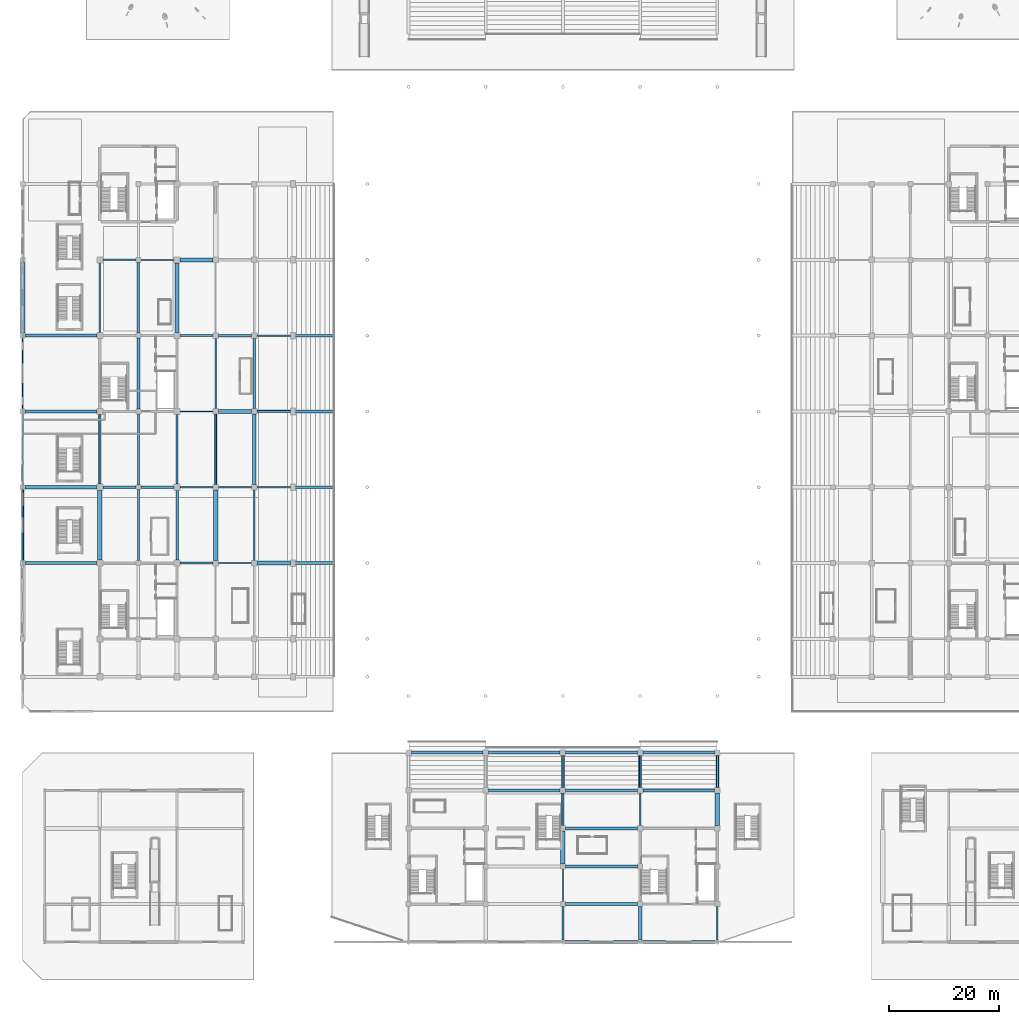
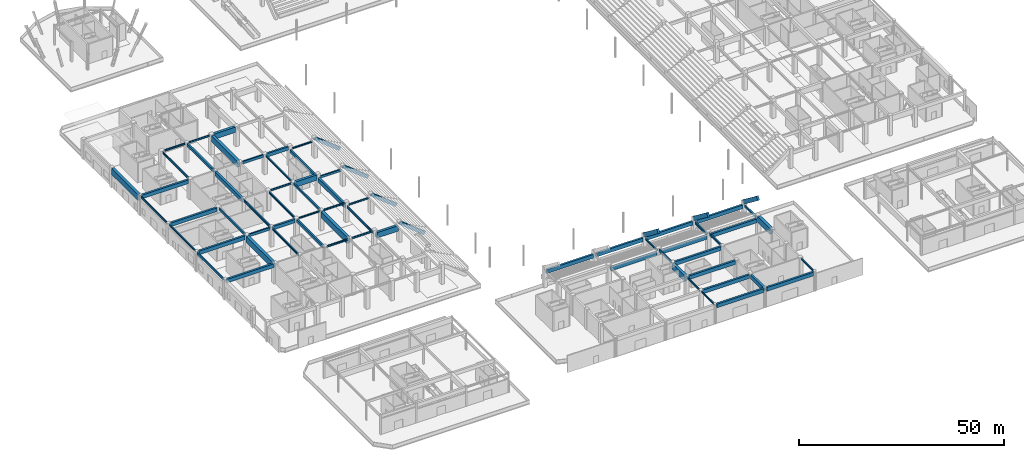
# One storey, part 23 of 73: 71 beams.
"""IFC4 building model written with IfcOpenShell, lengths in metres."""

from ifc_helpers import new_model, si_unit, direction, frame, origin, origin_2d, place, context, subcontext, project, spatial, rectangle, i_section, extrude, material, material_profile, profile_set, type_object, element, save


model = new_model("IFC4")

# Units and contexts
model_context = context("Model", 3, precision=1e-05, world=origin(), true_north=direction((0.0, 1.0)))
body_context = subcontext(model_context, "Body", "Model", "MODEL_VIEW")
ifc_project = project(units=[si_unit("LENGTHUNIT", "METRE"), si_unit("AREAUNIT", "SQUARE_METRE"), si_unit("VOLUMEUNIT", "CUBIC_METRE"), si_unit("PLANEANGLEUNIT", "RADIAN"), si_unit("MASSUNIT", "GRAM", prefix="KILO")], contexts=[model_context])

# Site, building, storey
site_placement = place(None, origin())
site = spatial("IfcSite", under=ifc_project, at=site_placement, CompositionType="ELEMENT")
building_placement = place(site_placement, origin())
building = spatial("IfcBuilding", under=site, at=building_placement, Name="Linyun Crest Stadium", CompositionType="ELEMENT")
storey_placement = place(building_placement, origin())
storey = spatial("IfcBuildingStorey", under=building, at=storey_placement, Name="L01", CompositionType="ELEMENT", Elevation=0.0)

# Beams
ifc_material_1 = material(Name="Concrete C40", Category="concrete")
ifc_material_profile_1 = material_profile(ifc_material_1, rectangle(XDim=0.35009765625, YDim=0.60009765625, at=origin_2d()), Name="RCB 600x350")
ifc_profile_set_1 = profile_set([ifc_material_profile_1], Name="Concrete C40")
beam_type_1 = type_object("IfcBeamType", Name="B01", PredefinedType="BEAM", material=ifc_profile_set_1)
beam_1_placement = place(storey_placement, frame((-55.5, 2.125, 4.6298828125), z_axis=(1.0, 0.0, 0.0), x_axis=(0.0, 1.0, 0.0)))
element("IfcBeam", 1, at=beam_1_placement, inside=storey, type_object=beam_type_1, Name="Frame beam B01 L01 118", PredefinedType="BEAM", context=body_context, shape_type="SweptSolid", body=[
    extrude(rectangle(XDim=0.35009765625, YDim=0.60009765625, at=origin_2d()), origin(), (0.0, 0.0, 1.0), 6.050048828125),
])
ifc_material_2 = material(Name="Concrete C40", Category="concrete")
ifc_material_profile_2 = material_profile(ifc_material_2, rectangle(XDim=0.35009765625, YDim=0.64990234375, at=origin_2d()), Name="RCB 650x350")
ifc_profile_set_2 = profile_set([ifc_material_profile_2], Name="Concrete C40")
beam_type_2 = type_object("IfcBeamType", Name="B02", PredefinedType="BEAM", material=ifc_profile_set_2)
beam_2_placement = place(storey_placement, frame((-98.0, -24.925048828125, 5.455078125), z_axis=(0.0, 1.0, 0.0), x_axis=(-1.0, 0.0, 0.0)))
element("IfcBeam", 2, at=beam_2_placement, inside=storey, type_object=beam_type_2, Name="Frame beam B02 L01 135", PredefinedType="BEAM", context=body_context, shape_type="SweptSolid", body=[
    extrude(rectangle(XDim=0.35009765625, YDim=0.64990234375, at=origin_2d()), origin(), (0.0, 0.0, 1.0), 12.85009765625),
])
beam_3_placement = place(storey_placement, frame((-84.0, -11.074951171875, 5.455078125), z_axis=(0.0, 1.0, 0.0), x_axis=(-1.0, 0.0, 0.0)))
element("IfcBeam", 3, at=beam_3_placement, inside=storey, type_object=beam_type_2, Name="Frame beam B02 L01 142", PredefinedType="BEAM", context=body_context, shape_type="SweptSolid", body=[
    extrude(rectangle(XDim=0.35009765625, YDim=0.64990234375, at=origin_2d()), origin(), (0.0, 0.0, 1.0), 12.64990234375),
])
beam_4_placement = place(storey_placement, frame((-63.0, -11.125, 5.455078125), z_axis=(0.0, 1.0, 0.0), x_axis=(-1.0, 0.0, 0.0)))
element("IfcBeam", 4, at=beam_4_placement, inside=storey, type_object=beam_type_2, Name="Frame beam B02 L01 158", PredefinedType="BEAM", context=body_context, shape_type="SweptSolid", body=[
    extrude(rectangle(XDim=0.35009765625, YDim=0.64990234375, at=origin_2d()), origin(), (0.0, 0.0, 1.0), 12.75),
])
for number, where, z_axis, x_axis, name in (
    (5, (0.0, -73.0, 5.455078125), (0.0, 1.0, 0.0), (-1.0, 0.0, 0.0), "Frame beam B02 L01 894"),
    (6, (28.0, -66.125, 4.60498046875), (0.0, 1.0, 0.0), (-1.0, 0.0, 0.0), "Frame beam B02 L01 901"),
):
    element("IfcBeam", number, at=place(storey_placement, frame(where, z_axis=z_axis, x_axis=x_axis)), inside=storey, type_object=beam_type_2, Name=name, PredefinedType="BEAM", context=body_context, shape_type="SweptSolid", body=[
        extrude(rectangle(XDim=0.35009765625, YDim=0.64990234375, at=origin_2d()), origin(), (0.0, 0.0, 1.0), 5.875),
    ])
ifc_material_3 = material(Name="Concrete C40", Category="concrete")
ifc_material_profile_3 = material_profile(ifc_material_3, rectangle(XDim=0.39990234375, YDim=0.75, at=origin_2d()), Name="RCB 750x400")
ifc_profile_set_3 = profile_set([ifc_material_profile_3], Name="Concrete C40")
beam_type_3 = type_object("IfcBeamType", Name="B03", PredefinedType="BEAM", material=ifc_profile_set_3)
beam_5_placement = place(storey_placement, frame((-83.449951171875, -11.625, 5.405029296875), z_axis=(1.0, 0.0, 0.0), x_axis=(0.0, 1.0, 0.0)))
element("IfcBeam", 7, at=beam_5_placement, inside=storey, type_object=beam_type_3, Name="Frame beam B03 L01 110", PredefinedType="BEAM", context=body_context, shape_type="SweptSolid", body=[
    extrude(rectangle(XDim=0.39990234375, YDim=0.75, at=origin_2d()), origin(), (0.0, 0.0, 1.0), 6.0),
])
beam_6_placement = place(storey_placement, frame((-69.449951171875, 15.875, 5.405029296875), z_axis=(1.0, 0.0, 0.0), x_axis=(0.0, 1.0, 0.0)))
element("IfcBeam", 8, at=beam_6_placement, inside=storey, type_object=beam_type_3, Name="Frame beam B03 L01 120", PredefinedType="BEAM", context=body_context, shape_type="SweptSolid", body=[
    extrude(rectangle(XDim=0.39990234375, YDim=0.75, at=origin_2d()), origin(), (0.0, 0.0, 1.0), 5.949951171875),
])
ifc_material_4 = material(Name="Concrete C40", Category="concrete")
ifc_material_profile_4 = material_profile(ifc_material_4, rectangle(XDim=0.449951171875, YDim=0.85009765625, at=origin_2d()), Name="RCB 850x450")
ifc_profile_set_4 = profile_set([ifc_material_profile_4], Name="Concrete C40")
beam_type_4 = type_object("IfcBeamType", Name="B04", PredefinedType="BEAM", material=ifc_profile_set_4)
beam_7_placement = place(storey_placement, frame((-77.0, 16.324951171875, 5.35498046875), z_axis=(0.0, 1.0, 0.0), x_axis=(-1.0, 0.0, 0.0)))
element("IfcBeam", 9, at=beam_7_placement, inside=storey, type_object=beam_type_4, Name="Frame beam B04 L01 149", PredefinedType="BEAM", context=body_context, shape_type="SweptSolid", body=[
    extrude(rectangle(XDim=0.449951171875, YDim=0.85009765625, at=origin_2d()), origin(), (0.0, 0.0, 1.0), 12.85009765625),
])
beam_8_placement = place(storey_placement, frame((-70.0, -24.824951171875, 5.35498046875), z_axis=(0.0, 1.0, 0.0), x_axis=(-1.0, 0.0, 0.0)))
element("IfcBeam", 10, at=beam_8_placement, inside=storey, type_object=beam_type_4, Name="Frame beam B04 L01 152", PredefinedType="BEAM", context=body_context, shape_type="SweptSolid", body=[
    extrude(rectangle(XDim=0.449951171875, YDim=0.85009765625, at=origin_2d()), origin(), (0.0, 0.0, 1.0), 12.64990234375),
])
beam_9_placement = place(storey_placement, frame((-56.0, 2.625, 4.5048828125), z_axis=(0.0, 1.0, 0.0), x_axis=(-1.0, 0.0, 0.0)))
element("IfcBeam", 11, at=beam_9_placement, inside=storey, type_object=beam_type_4, Name="Frame beam B04 L01 166", PredefinedType="BEAM", context=body_context, shape_type="SweptSolid", body=[
    extrude(rectangle(XDim=0.449951171875, YDim=0.85009765625, at=origin_2d()), origin(), (0.0, 0.0, 1.0), 12.75),
])
ifc_material_5 = material(Name="Concrete C40", Category="concrete")
ifc_material_profile_5 = material_profile(ifc_material_5, rectangle(XDim=0.5, YDim=1.0, at=origin_2d()), Name="RCB 1000x500")
ifc_profile_set_5 = profile_set([ifc_material_profile_5], Name="Concrete C40")
beam_type_5 = type_object("IfcBeamType", Name="B05", PredefinedType="BEAM", material=ifc_profile_set_5)
for number, where, z_axis, x_axis, name in (
    (12, (-76.550048828125, -11.625, 5.280029296875), (1.0, 0.0, 0.0), (0.0, 1.0, 0.0), "Frame beam B05 L01 111"),
    (13, (-62.5, 15.875, 5.280029296875), (1.0, 0.0, 0.0), (0.0, 1.0, 0.0), "Frame beam B05 L01 121"),
):
    element("IfcBeam", number, at=place(storey_placement, frame(where, z_axis=z_axis, x_axis=x_axis)), inside=storey, type_object=beam_type_5, Name=name, PredefinedType="BEAM", context=body_context, shape_type="SweptSolid", body=[
        extrude(rectangle(XDim=0.5, YDim=1.0, at=origin_2d()), origin(), (0.0, 0.0, 1.0), 6.0),
    ])
ifc_material_6 = material(Name="Steel Q355C", Category="steel")
ifc_material_profile_6 = material_profile(ifc_material_6, i_section(OverallWidth=0.300048828125, OverallDepth=0.389892578125, WebThickness=0.010009765625, FlangeThickness=0.01611328125, at=origin_2d()), Name="HM 390x300")
ifc_profile_set_6 = profile_set([ifc_material_profile_6], Name="Steel Q355C")
beam_type_6 = type_object("IfcBeamType", Name="B06", PredefinedType="BEAM", material=ifc_profile_set_6)
beam_10_placement = place(storey_placement, frame((-69.449951171875, -11.625, 5.5849609375), z_axis=(1.0, 0.0, 0.0), x_axis=(0.0, 1.0, 0.0)))
element("IfcBeam", 14, at=beam_10_placement, inside=storey, type_object=beam_type_6, Name="Frame beam B06 L01 112", PredefinedType="BEAM", context=body_context, shape_type="SweptSolid", body=[
    extrude(i_section(OverallWidth=0.300048828125, OverallDepth=0.389892578125, WebThickness=0.010009765625, FlangeThickness=0.01611328125, at=origin_2d()), origin(), (0.0, 0.0, 1.0), 5.949951171875),
])
beam_11_placement = place(storey_placement, frame((-55.5, 15.875, 4.735107421875), z_axis=(1.0, 0.0, 0.0), x_axis=(0.0, 1.0, 0.0)))
element("IfcBeam", 15, at=beam_11_placement, inside=storey, type_object=beam_type_6, Name="Frame beam B06 L01 122", PredefinedType="BEAM", context=body_context, shape_type="SweptSolid", body=[
    extrude(i_section(OverallWidth=0.300048828125, OverallDepth=0.389892578125, WebThickness=0.010009765625, FlangeThickness=0.01611328125, at=origin_2d()), origin(), (0.0, 0.0, 1.0), 6.050048828125),
])
ifc_material_7 = material(Name="Steel Q355C", Category="steel")
ifc_material_profile_7 = material_profile(ifc_material_7, i_section(OverallWidth=0.300048828125, OverallDepth=0.43994140625, WebThickness=0.010986328125, FlangeThickness=0.01806640625, at=origin_2d()), Name="HM 440x300")
ifc_profile_set_7 = profile_set([ifc_material_profile_7], Name="Steel Q355C")
beam_type_7 = type_object("IfcBeamType", Name="B07", PredefinedType="BEAM", material=ifc_profile_set_7)
beam_12_placement = place(storey_placement, frame((-98.0, -11.175048828125, 5.56005859375), z_axis=(0.0, 1.0, 0.0), x_axis=(-1.0, 0.0, 0.0)))
element("IfcBeam", 16, at=beam_12_placement, inside=storey, type_object=beam_type_7, Name="Frame beam B07 L01 136", PredefinedType="BEAM", context=body_context, shape_type="SweptSolid", body=[
    extrude(i_section(OverallWidth=0.300048828125, OverallDepth=0.43994140625, WebThickness=0.010986328125, FlangeThickness=0.01806640625, at=origin_2d()), origin(), (0.0, 0.0, 1.0), 12.85009765625),
])
beam_13_placement = place(storey_placement, frame((-63.0, 2.625, 5.56005859375), z_axis=(0.0, 1.0, 0.0), x_axis=(-1.0, 0.0, 0.0)))
element("IfcBeam", 17, at=beam_13_placement, inside=storey, type_object=beam_type_7, Name="Frame beam B07 L01 159", PredefinedType="BEAM", context=body_context, shape_type="SweptSolid", body=[
    extrude(i_section(OverallWidth=0.300048828125, OverallDepth=0.43994140625, WebThickness=0.010986328125, FlangeThickness=0.01806640625, at=origin_2d()), origin(), (0.0, 0.0, 1.0), 12.75),
])
beam_14_placement = place(storey_placement, frame((0.0, -93.72509765625, 5.56005859375), z_axis=(0.0, 1.0, 0.0), x_axis=(-1.0, 0.0, 0.0)))
element("IfcBeam", 18, at=beam_14_placement, inside=storey, type_object=beam_type_7, Name="Frame beam B07 L01 891", PredefinedType="BEAM", context=body_context, shape_type="SweptSolid", body=[
    extrude(i_section(OverallWidth=0.300048828125, OverallDepth=0.43994140625, WebThickness=0.010986328125, FlangeThickness=0.01806640625, at=origin_2d()), origin(), (0.0, 0.0, 1.0), 6.025146484375),
])
beam_15_placement = place(storey_placement, frame((0.0, -66.125, 4.7099609375), z_axis=(0.0, 1.0, 0.0), x_axis=(-1.0, 0.0, 0.0)))
element("IfcBeam", 19, at=beam_15_placement, inside=storey, type_object=beam_type_7, Name="Frame beam B07 L01 895", PredefinedType="BEAM", context=body_context, shape_type="SweptSolid", body=[
    extrude(i_section(OverallWidth=0.300048828125, OverallDepth=0.43994140625, WebThickness=0.010986328125, FlangeThickness=0.01806640625, at=origin_2d()), origin(), (0.0, 0.0, 1.0), 5.875),
])
beam_16_placement = place(storey_placement, frame((28.0, -93.72509765625, 5.56005859375), z_axis=(0.0, 1.0, 0.0), x_axis=(-1.0, 0.0, 0.0)))
element("IfcBeam", 20, at=beam_16_placement, inside=storey, type_object=beam_type_7, Name="Frame beam B07 L01 899", PredefinedType="BEAM", context=body_context, shape_type="SweptSolid", body=[
    extrude(i_section(OverallWidth=0.300048828125, OverallDepth=0.43994140625, WebThickness=0.010986328125, FlangeThickness=0.01806640625, at=origin_2d()), origin(), (0.0, 0.0, 1.0), 6.025146484375),
])
ifc_material_8 = material(Name="Steel Q355C", Category="steel")
ifc_material_profile_8 = material_profile(ifc_material_8, i_section(OverallWidth=0.300048828125, OverallDepth=0.488037109375, WebThickness=0.010986328125, FlangeThickness=0.01806640625, at=origin_2d()), Name="HM 488x300")
ifc_profile_set_8 = profile_set([ifc_material_profile_8], Name="Steel Q355C")
beam_type_8 = type_object("IfcBeamType", Name="B08", PredefinedType="BEAM", material=ifc_profile_set_8)
beam_17_placement = place(storey_placement, frame((-69.449951171875, -25.375, 5.535888671875), z_axis=(1.0, 0.0, 0.0), x_axis=(0.0, 1.0, 0.0)))
element("IfcBeam", 21, at=beam_17_placement, inside=storey, type_object=beam_type_8, Name="Frame beam B08 L01 106", PredefinedType="BEAM", context=body_context, shape_type="SweptSolid", body=[
    extrude(i_section(OverallWidth=0.300048828125, OverallDepth=0.488037109375, WebThickness=0.010986328125, FlangeThickness=0.01806640625, at=origin_2d()), origin(), (0.0, 0.0, 1.0), 5.949951171875),
])
for number, where, z_axis, x_axis, name in (
    (22, (-62.5, -11.625, 5.535888671875), (1.0, 0.0, 0.0), (0.0, 1.0, 0.0), "Frame beam B08 L01 113"),
    (23, (-83.449951171875, 29.625, 5.535888671875), (1.0, 0.0, 0.0), (0.0, 1.0, 0.0), "Frame beam B08 L01 123"),
):
    element("IfcBeam", number, at=place(storey_placement, frame(where, z_axis=z_axis, x_axis=x_axis)), inside=storey, type_object=beam_type_8, Name=name, PredefinedType="BEAM", context=body_context, shape_type="SweptSolid", body=[
        extrude(i_section(OverallWidth=0.300048828125, OverallDepth=0.488037109375, WebThickness=0.010986328125, FlangeThickness=0.01806640625, at=origin_2d()), origin(), (0.0, 0.0, 1.0), 6.0),
    ])
ifc_material_9 = material(Name="Steel Q355C", Category="steel")
ifc_material_profile_9 = material_profile(ifc_material_9, i_section(OverallWidth=0.300048828125, OverallDepth=0.587890625, WebThickness=0.011962890625, FlangeThickness=0.02001953125, at=origin_2d()), Name="HM 588x300")
ifc_profile_set_9 = profile_set([ifc_material_profile_9], Name="Steel Q355C")
beam_type_9 = type_object("IfcBeamType", Name="B09", PredefinedType="BEAM", material=ifc_profile_set_9)
beam_18_placement = place(storey_placement, frame((-84.0, 16.425048828125, 5.486083984375), z_axis=(0.0, 1.0, 0.0), x_axis=(-1.0, 0.0, 0.0)))
element("IfcBeam", 24, at=beam_18_placement, inside=storey, type_object=beam_type_9, Name="Frame beam B09 L01 143", PredefinedType="BEAM", context=body_context, shape_type="SweptSolid", body=[
    extrude(i_section(OverallWidth=0.300048828125, OverallDepth=0.587890625, WebThickness=0.011962890625, FlangeThickness=0.02001953125, at=origin_2d()), origin(), (0.0, 0.0, 1.0), 12.64990234375),
])
beam_19_placement = place(storey_placement, frame((-77.0, -24.925048828125, 5.486083984375), z_axis=(0.0, 1.0, 0.0), x_axis=(-1.0, 0.0, 0.0)))
element("IfcBeam", 25, at=beam_19_placement, inside=storey, type_object=beam_type_9, Name="Frame beam B09 L01 146", PredefinedType="BEAM", context=body_context, shape_type="SweptSolid", body=[
    extrude(i_section(OverallWidth=0.300048828125, OverallDepth=0.587890625, WebThickness=0.011962890625, FlangeThickness=0.02001953125, at=origin_2d()), origin(), (0.0, 0.0, 1.0), 12.85009765625),
])
beam_20_placement = place(storey_placement, frame((-70.0, -11.074951171875, 5.486083984375), z_axis=(0.0, 1.0, 0.0), x_axis=(-1.0, 0.0, 0.0)))
element("IfcBeam", 26, at=beam_20_placement, inside=storey, type_object=beam_type_9, Name="Frame beam B09 L01 153", PredefinedType="BEAM", context=body_context, shape_type="SweptSolid", body=[
    extrude(i_section(OverallWidth=0.300048828125, OverallDepth=0.587890625, WebThickness=0.011962890625, FlangeThickness=0.02001953125, at=origin_2d()), origin(), (0.0, 0.0, 1.0), 12.64990234375),
])
beam_21_placement = place(storey_placement, frame((14.0, -73.0, 5.486083984375), z_axis=(0.0, 1.0, 0.0), x_axis=(-1.0, 0.0, 0.0)))
element("IfcBeam", 27, at=beam_21_placement, inside=storey, type_object=beam_type_9, Name="Frame beam B09 L01 897", PredefinedType="BEAM", context=body_context, shape_type="SweptSolid", body=[
    extrude(i_section(OverallWidth=0.300048828125, OverallDepth=0.587890625, WebThickness=0.011962890625, FlangeThickness=0.02001953125, at=origin_2d()), origin(), (0.0, 0.0, 1.0), 5.875),
])
ifc_material_10 = material(Name="Steel Q355C", Category="steel")
ifc_material_profile_10 = material_profile(ifc_material_10, i_section(OverallWidth=0.199951171875, OverallDepth=0.5, WebThickness=0.010009765625, FlangeThickness=0.01611328125, at=origin_2d()), Name="HN 500x200")
ifc_profile_set_10 = profile_set([ifc_material_profile_10], Name="Steel Q355C")
beam_type_10 = type_object("IfcBeamType", Name="B10", PredefinedType="BEAM", material=ifc_profile_set_10)
beam_22_placement = place(storey_placement, frame((-62.5, -25.375, 5.530029296875), z_axis=(1.0, 0.0, 0.0), x_axis=(0.0, 1.0, 0.0)))
element("IfcBeam", 28, at=beam_22_placement, inside=storey, type_object=beam_type_10, Name="Frame beam B10 L01 107", PredefinedType="BEAM", context=body_context, shape_type="SweptSolid", body=[
    extrude(i_section(OverallWidth=0.199951171875, OverallDepth=0.5, WebThickness=0.010009765625, FlangeThickness=0.01611328125, at=origin_2d()), origin(), (0.0, 0.0, 1.0), 6.0),
])
beam_23_placement = place(storey_placement, frame((-55.5, -11.625, 4.679931640625), z_axis=(1.0, 0.0, 0.0), x_axis=(0.0, 1.0, 0.0)))
element("IfcBeam", 29, at=beam_23_placement, inside=storey, type_object=beam_type_10, Name="Frame beam B10 L01 114", PredefinedType="BEAM", context=body_context, shape_type="SweptSolid", body=[
    extrude(i_section(OverallWidth=0.199951171875, OverallDepth=0.5, WebThickness=0.010009765625, FlangeThickness=0.01611328125, at=origin_2d()), origin(), (0.0, 0.0, 1.0), 6.050048828125),
])
beam_24_placement = place(storey_placement, frame((-69.449951171875, 2.125, 5.530029296875), z_axis=(1.0, 0.0, 0.0), x_axis=(0.0, 1.0, 0.0)))
element("IfcBeam", 30, at=beam_24_placement, inside=storey, type_object=beam_type_10, Name="Frame beam B10 L01 116", PredefinedType="BEAM", context=body_context, shape_type="SweptSolid", body=[
    extrude(i_section(OverallWidth=0.199951171875, OverallDepth=0.5, WebThickness=0.010009765625, FlangeThickness=0.01611328125, at=origin_2d()), origin(), (0.0, 0.0, 1.0), 5.949951171875),
])
beam_25_placement = place(storey_placement, frame((-76.550048828125, 29.625, 5.530029296875), z_axis=(1.0, 0.0, 0.0), x_axis=(0.0, 1.0, 0.0)))
element("IfcBeam", 31, at=beam_25_placement, inside=storey, type_object=beam_type_10, Name="Frame beam B10 L01 124", PredefinedType="BEAM", context=body_context, shape_type="SweptSolid", body=[
    extrude(i_section(OverallWidth=0.199951171875, OverallDepth=0.5, WebThickness=0.010009765625, FlangeThickness=0.01611328125, at=origin_2d()), origin(), (0.0, 0.0, 1.0), 6.0),
])
ifc_material_11 = material(Name="Steel Q355C", Category="steel")
ifc_material_profile_11 = material_profile(ifc_material_11, i_section(OverallWidth=0.199951171875, OverallDepth=0.60009765625, WebThickness=0.010986328125, FlangeThickness=0.01708984375, at=origin_2d()), Name="HN 600x200")
ifc_profile_set_11 = profile_set([ifc_material_profile_11], Name="Steel Q355C")
beam_type_11 = type_object("IfcBeamType", Name="B11", PredefinedType="BEAM", material=ifc_profile_set_11)
beam_26_placement = place(storey_placement, frame((-98.0, 2.574951171875, 5.47998046875), z_axis=(0.0, 1.0, 0.0), x_axis=(-1.0, 0.0, 0.0)))
element("IfcBeam", 32, at=beam_26_placement, inside=storey, type_object=beam_type_11, Name="Frame beam B11 L01 137", PredefinedType="BEAM", context=body_context, shape_type="SweptSolid", body=[
    extrude(i_section(OverallWidth=0.199951171875, OverallDepth=0.60009765625, WebThickness=0.010986328125, FlangeThickness=0.01708984375, at=origin_2d()), origin(), (0.0, 0.0, 1.0), 12.85009765625),
])
beam_27_placement = place(storey_placement, frame((0.0, -86.800048828125, 5.47998046875), z_axis=(0.0, 1.0, 0.0), x_axis=(-1.0, 0.0, 0.0)))
element("IfcBeam", 33, at=beam_27_placement, inside=storey, type_object=beam_type_11, Name="Frame beam B11 L01 892", PredefinedType="BEAM", context=body_context, shape_type="SweptSolid", body=[
    extrude(i_section(OverallWidth=0.199951171875, OverallDepth=0.60009765625, WebThickness=0.010986328125, FlangeThickness=0.01708984375, at=origin_2d()), origin(), (0.0, 0.0, 1.0), 5.97509765625),
])
ifc_material_12 = material(Name="Steel Q355C", Category="steel")
ifc_material_profile_12 = material_profile(ifc_material_12, i_section(OverallWidth=0.300048828125, OverallDepth=0.699951171875, WebThickness=0.012939453125, FlangeThickness=0.02392578125, at=origin_2d()), Name="HN 700x300")
ifc_profile_set_12 = profile_set([ifc_material_profile_12], Name="Steel Q355C")
beam_type_12 = type_object("IfcBeamType", Name="B12", PredefinedType="BEAM", material=ifc_profile_set_12)
beam_28_placement = place(storey_placement, frame((-77.0, -11.175048828125, 5.429931640625), z_axis=(0.0, 1.0, 0.0), x_axis=(-1.0, 0.0, 0.0)))
element("IfcBeam", 34, at=beam_28_placement, inside=storey, type_object=beam_type_12, Name="Frame beam B12 L01 147", PredefinedType="BEAM", context=body_context, shape_type="SweptSolid", body=[
    extrude(i_section(OverallWidth=0.300048828125, OverallDepth=0.699951171875, WebThickness=0.012939453125, FlangeThickness=0.02392578125, at=origin_2d()), origin(), (0.0, 0.0, 1.0), 12.85009765625),
])
beam_29_placement = place(storey_placement, frame((-56.0, -24.875, 4.580078125), z_axis=(0.0, 1.0, 0.0), x_axis=(-1.0, 0.0, 0.0)))
element("IfcBeam", 35, at=beam_29_placement, inside=storey, type_object=beam_type_12, Name="Frame beam B12 L01 164", PredefinedType="BEAM", context=body_context, shape_type="SweptSolid", body=[
    extrude(i_section(OverallWidth=0.300048828125, OverallDepth=0.699951171875, WebThickness=0.012939453125, FlangeThickness=0.02392578125, at=origin_2d()), origin(), (0.0, 0.0, 1.0), 12.75),
])
beam_30_placement = place(storey_placement, frame((14.0, -66.125, 4.580078125), z_axis=(0.0, 1.0, 0.0), x_axis=(-1.0, 0.0, 0.0)))
element("IfcBeam", 36, at=beam_30_placement, inside=storey, type_object=beam_type_12, Name="Frame beam B12 L01 898", PredefinedType="BEAM", context=body_context, shape_type="SweptSolid", body=[
    extrude(i_section(OverallWidth=0.300048828125, OverallDepth=0.699951171875, WebThickness=0.012939453125, FlangeThickness=0.02392578125, at=origin_2d()), origin(), (0.0, 0.0, 1.0), 5.875),
])
ifc_material_13 = material(Name="Concrete C50", Category="concrete")
ifc_material_profile_13 = material_profile(ifc_material_13, rectangle(XDim=0.699951171875, YDim=1.60009765625, at=origin_2d()), Name="RCB 1600x700")
ifc_profile_set_13 = profile_set([ifc_material_profile_13], Name="Concrete C50")
beam_type_13 = type_object("IfcBeamType", Name="B13", PredefinedType="BEAM", material=ifc_profile_set_13)
beam_31_placement = place(storey_placement, frame((-55.5, -25.375, 4.1298828125), z_axis=(1.0, 0.0, 0.0), x_axis=(0.0, 1.0, 0.0)))
element("IfcBeam", 37, at=beam_31_placement, inside=storey, type_object=beam_type_13, Name="Frame beam B13 L01 108", PredefinedType="BEAM", context=body_context, shape_type="SweptSolid", body=[
    extrude(rectangle(XDim=0.699951171875, YDim=1.60009765625, at=origin_2d()), origin(), (0.0, 0.0, 1.0), 6.050048828125),
])
beam_32_placement = place(storey_placement, frame((-62.5, 2.125, 4.97998046875), z_axis=(1.0, 0.0, 0.0), x_axis=(0.0, 1.0, 0.0)))
element("IfcBeam", 38, at=beam_32_placement, inside=storey, type_object=beam_type_13, Name="Frame beam B13 L01 117", PredefinedType="BEAM", context=body_context, shape_type="SweptSolid", body=[
    extrude(rectangle(XDim=0.699951171875, YDim=1.60009765625, at=origin_2d()), origin(), (0.0, 0.0, 1.0), 6.0),
])
beam_33_placement = place(storey_placement, frame((-69.449951171875, 29.625, 4.97998046875), z_axis=(1.0, 0.0, 0.0), x_axis=(0.0, 1.0, 0.0)))
element("IfcBeam", 39, at=beam_33_placement, inside=storey, type_object=beam_type_13, Name="Frame beam B13 L01 125", PredefinedType="BEAM", context=body_context, shape_type="SweptSolid", body=[
    extrude(rectangle(XDim=0.699951171875, YDim=1.60009765625, at=origin_2d()), origin(), (0.0, 0.0, 1.0), 5.949951171875),
])
ifc_material_14 = material(Name="Concrete C50", Category="concrete")
ifc_material_profile_14 = material_profile(ifc_material_14, rectangle(XDim=0.800048828125, YDim=1.800048828125, at=origin_2d()), Name="RCB 1800x800")
ifc_profile_set_14 = profile_set([ifc_material_profile_14], Name="Concrete C50")
beam_type_14 = type_object("IfcBeamType", Name="B14", PredefinedType="BEAM", material=ifc_profile_set_14)
beam_34_placement = place(storey_placement, frame((-98.0, 16.324951171875, 4.8798828125), z_axis=(0.0, 1.0, 0.0), x_axis=(-1.0, 0.0, 0.0)))
element("IfcBeam", 40, at=beam_34_placement, inside=storey, type_object=beam_type_14, Name="Frame beam B14 L01 138", PredefinedType="BEAM", context=body_context, shape_type="SweptSolid", body=[
    extrude(rectangle(XDim=0.800048828125, YDim=1.800048828125, at=origin_2d()), origin(), (0.0, 0.0, 1.0), 12.85009765625),
])
for number, where, z_axis, x_axis, name in (
    (41, (-84.0, -24.824951171875, 4.8798828125), (0.0, 1.0, 0.0), (-1.0, 0.0, 0.0), "Frame beam B14 L01 141"),
    (42, (-70.0, 16.425048828125, 4.8798828125), (0.0, 1.0, 0.0), (-1.0, 0.0, 0.0), "Frame beam B14 L01 154"),
):
    element("IfcBeam", number, at=place(storey_placement, frame(where, z_axis=z_axis, x_axis=x_axis)), inside=storey, type_object=beam_type_14, Name=name, PredefinedType="BEAM", context=body_context, shape_type="SweptSolid", body=[
        extrude(rectangle(XDim=0.800048828125, YDim=1.800048828125, at=origin_2d()), origin(), (0.0, 0.0, 1.0), 12.64990234375),
    ])
beam_35_placement = place(storey_placement, frame((-63.0, -24.875, 4.8798828125), z_axis=(0.0, 1.0, 0.0), x_axis=(-1.0, 0.0, 0.0)))
element("IfcBeam", 43, at=beam_35_placement, inside=storey, type_object=beam_type_14, Name="Frame beam B14 L01 157", PredefinedType="BEAM", context=body_context, shape_type="SweptSolid", body=[
    extrude(rectangle(XDim=0.800048828125, YDim=1.800048828125, at=origin_2d()), origin(), (0.0, 0.0, 1.0), 12.75),
])
beam_36_placement = place(storey_placement, frame((0.0, -79.925048828125, 4.8798828125), z_axis=(0.0, 1.0, 0.0), x_axis=(-1.0, 0.0, 0.0)))
element("IfcBeam", 44, at=beam_36_placement, inside=storey, type_object=beam_type_14, Name="Frame beam B14 L01 893", PredefinedType="BEAM", context=body_context, shape_type="SweptSolid", body=[
    extrude(rectangle(XDim=0.800048828125, YDim=1.800048828125, at=origin_2d()), origin(), (0.0, 0.0, 1.0), 5.925048828125),
])
beam_37_placement = place(storey_placement, frame((28.0, -73.0, 4.8798828125), z_axis=(0.0, 1.0, 0.0), x_axis=(-1.0, 0.0, 0.0)))
element("IfcBeam", 45, at=beam_37_placement, inside=storey, type_object=beam_type_14, Name="Frame beam B14 L01 900", PredefinedType="BEAM", context=body_context, shape_type="SweptSolid", body=[
    extrude(rectangle(XDim=0.800048828125, YDim=1.800048828125, at=origin_2d()), origin(), (0.0, 0.0, 1.0), 5.875),
])
ifc_material_15 = material(Name="Precast concrete C50", Category="concrete")
ifc_material_profile_15 = material_profile(ifc_material_15, rectangle(XDim=0.5, YDim=0.949951171875, at=origin_2d()), Name="PCR 950x500")
ifc_profile_set_15 = profile_set([ifc_material_profile_15], Name="Precast concrete C50")
beam_type_15 = type_object("IfcBeamType", Name="RB01", PredefinedType="USERDEFINED", material=ifc_profile_set_15)
for number, where, z_axis, x_axis, name in (
    (46, (-42.0, -25.375, 0.0), (-0.785226144733, 0.0, 0.619209093625), (0.0, -1.0, 0.0), "Precast raker beam RB01 V1 17"),
    (47, (-42.0, -11.625, 0.0), (-0.785226144733, 0.0, 0.619209093625), (0.0, -1.0, 0.0), "Precast raker beam RB01 V1 25"),
    (48, (-42.0, 2.125, 0.0), (-0.785226144733, 0.0, 0.619209093625), (0.0, -1.0, 0.0), "Precast raker beam RB01 V1 33"),
    (49, (-42.0, 15.875, 0.0), (-0.785226144733, 0.0, 0.619209093625), (0.0, -1.0, 0.0), "Precast raker beam RB01 V1 41"),
):
    element("IfcBeam", number, at=place(storey_placement, frame(where, z_axis=z_axis, x_axis=x_axis)), inside=storey, type_object=beam_type_15, Name=name, ObjectType="RAKER", PredefinedType="USERDEFINED", context=body_context, shape_type="SweptSolid", body=[
        extrude(rectangle(XDim=0.5, YDim=0.949951171875, at=origin_2d()), origin(), (0.0, 0.0, 1.0), 8.91455078125),
    ])
ifc_material_16 = material(Name="Precast concrete C50", Category="concrete")
ifc_material_profile_16 = material_profile(ifc_material_16, rectangle(XDim=0.550048828125, YDim=1.14990234375, at=origin_2d()), Name="PCR 1150x550")
ifc_profile_set_16 = profile_set([ifc_material_profile_16], Name="Precast concrete C50")
beam_type_16 = type_object("IfcBeamType", Name="RB02", PredefinedType="USERDEFINED", material=ifc_profile_set_16)
for number, where, z_axis, x_axis, name in (
    (50, (0.0, -59.75, 5.52001953125), (0.0, -0.793093848902, 0.609099455618), (1.0, 0.0, 0.0), "Precast raker beam RB02 V4 81"),
    (51, (14.0, -59.75, 5.52001953125), (0.0, -0.793093848902, 0.609099455618), (1.0, 0.0, 0.0), "Precast raker beam RB02 V4 87"),
    (52, (28.0, -59.75, 5.52001953125), (0.0, -0.793093848902, 0.609099455618), (1.0, 0.0, 0.0), "Precast raker beam RB02 V4 93"),
):
    element("IfcBeam", number, at=place(storey_placement, frame(where, z_axis=z_axis, x_axis=x_axis)), inside=storey, type_object=beam_type_16, Name=name, ObjectType="RAKER", PredefinedType="USERDEFINED", context=body_context, shape_type="SweptSolid", body=[
        extrude(rectangle(XDim=0.550048828125, YDim=1.14990234375, at=origin_2d()), origin(), (0.0, 0.0, 1.0), 8.668701171875),
    ])
ifc_material_17 = material(Name="Concrete C50", Category="concrete")
ifc_material_profile_17 = material_profile(ifc_material_17, rectangle(XDim=0.550048828125, YDim=1.10009765625, at=origin_2d()), Name="RCB 1100x550")
ifc_profile_set_17 = profile_set([ifc_material_profile_17], Name="Concrete C50")
beam_type_17 = type_object("IfcBeamType", Name="TB01", PredefinedType="USERDEFINED", material=ifc_profile_set_17)
for number, where, z_axis, x_axis, name in (
    (53, (-97.550048828125, -25.375, 5.22998046875), (1.0, 0.0, 0.0), (0.0, 1.0, 0.0), "Frame beam TB01 L01 105"),
    (54, (-97.550048828125, -11.625, 5.22998046875), (1.0, 0.0, 0.0), (0.0, 1.0, 0.0), "Frame beam TB01 L01 109"),
    (55, (-97.550048828125, 2.125, 5.22998046875), (1.0, 0.0, 0.0), (0.0, 1.0, 0.0), "Frame beam TB01 L01 115"),
    (56, (-97.550048828125, 15.875, 5.22998046875), (1.0, 0.0, 0.0), (0.0, 1.0, 0.0), "Frame beam TB01 L01 119"),
):
    element("IfcBeam", number, at=place(storey_placement, frame(where, z_axis=z_axis, x_axis=x_axis)), inside=storey, type_object=beam_type_17, Name=name, ObjectType="GIRDER", PredefinedType="USERDEFINED", context=body_context, shape_type="SweptSolid", body=[
        extrude(rectangle(XDim=0.550048828125, YDim=1.10009765625, at=origin_2d()), origin(), (0.0, 0.0, 1.0), 13.0),
    ])
for number, where, z_axis, x_axis, name in (
    (57, (0.39990234375, -94.125, 5.22998046875), (1.0, 0.0, 0.0), (0.0, 1.0, 0.0), "Frame beam TB01 L01 870"),
    (58, (14.39990234375, -94.125, 5.22998046875), (1.0, 0.0, 0.0), (0.0, 1.0, 0.0), "Frame beam TB01 L01 871"),
):
    element("IfcBeam", number, at=place(storey_placement, frame(where, z_axis=z_axis, x_axis=x_axis)), inside=storey, type_object=beam_type_17, Name=name, ObjectType="GIRDER", PredefinedType="USERDEFINED", context=body_context, shape_type="SweptSolid", body=[
        extrude(rectangle(XDim=0.550048828125, YDim=1.10009765625, at=origin_2d()), origin(), (0.0, 0.0, 1.0), 13.2001953125),
    ])
for number, where, z_axis, x_axis, name in (
    (59, (0.449951171875, -87.25, 5.22998046875), (1.0, 0.0, 0.0), (0.0, 1.0, 0.0), "Frame beam TB01 L01 873"),
    (60, (0.449951171875, -80.375, 5.22998046875), (1.0, 0.0, 0.0), (0.0, 1.0, 0.0), "Frame beam TB01 L01 875"),
):
    element("IfcBeam", number, at=place(storey_placement, frame(where, z_axis=z_axis, x_axis=x_axis)), inside=storey, type_object=beam_type_17, Name=name, ObjectType="GIRDER", PredefinedType="USERDEFINED", context=body_context, shape_type="SweptSolid", body=[
        extrude(rectangle(XDim=0.550048828125, YDim=1.10009765625, at=origin_2d()), origin(), (0.0, 0.0, 1.0), 13.10009765625),
    ])
for number, where, z_axis, x_axis, name in (
    (61, (0.5, -73.5, 5.22998046875), (1.0, 0.0, 0.0), (0.0, 1.0, 0.0), "Frame beam TB01 L01 876"),
    (62, (-13.5, -66.625, 4.3798828125), (1.0, 0.0, 0.0), (0.0, 1.0, 0.0), "Frame beam TB01 L01 878"),
    (63, (0.5, -66.625, 4.3798828125), (1.0, 0.0, 0.0), (0.0, 1.0, 0.0), "Frame beam TB01 L01 879"),
    (64, (14.5, -66.625, 4.3798828125), (1.0, 0.0, 0.0), (0.0, 1.0, 0.0), "Frame beam TB01 L01 880"),
    (65, (-27.5, -59.75, 4.3798828125), (1.0, 0.0, 0.0), (0.0, 1.0, 0.0), "Frame beam TB01 L01 881"),
    (66, (-13.5, -59.75, 4.3798828125), (1.0, 0.0, 0.0), (0.0, 1.0, 0.0), "Frame beam TB01 L01 882"),
    (67, (0.5, -59.75, 4.3798828125), (1.0, 0.0, 0.0), (0.0, 1.0, 0.0), "Frame beam TB01 L01 883"),
    (68, (14.5, -59.75, 4.3798828125), (1.0, 0.0, 0.0), (0.0, 1.0, 0.0), "Frame beam TB01 L01 884"),
):
    element("IfcBeam", number, at=place(storey_placement, frame(where, z_axis=z_axis, x_axis=x_axis)), inside=storey, type_object=beam_type_17, Name=name, ObjectType="GIRDER", PredefinedType="USERDEFINED", context=body_context, shape_type="SweptSolid", body=[
        extrude(rectangle(XDim=0.550048828125, YDim=1.10009765625, at=origin_2d()), origin(), (0.0, 0.0, 1.0), 13.0),
    ])
ifc_material_18 = material(Name="Concrete C50", Category="concrete")
ifc_material_profile_18 = material_profile(ifc_material_18, rectangle(XDim=0.60009765625, YDim=1.199951171875, at=origin_2d()), Name="RCB 1200x600")
ifc_profile_set_18 = profile_set([ifc_material_profile_18], Name="Concrete C50")
beam_type_18 = type_object("IfcBeamType", Name="TB02", PredefinedType="USERDEFINED", material=ifc_profile_set_18)
beam_38_placement = place(storey_placement, frame((-77.0, 2.574951171875, 5.179931640625), z_axis=(0.0, 1.0, 0.0), x_axis=(-1.0, 0.0, 0.0)))
element("IfcBeam", 69, at=beam_38_placement, inside=storey, type_object=beam_type_18, Name="Frame beam TB02 L01 148", ObjectType="GIRDER", PredefinedType="USERDEFINED", context=body_context, shape_type="SweptSolid", body=[
    extrude(rectangle(XDim=0.60009765625, YDim=1.199951171875, at=origin_2d()), origin(), (0.0, 0.0, 1.0), 12.85009765625),
])
beam_39_placement = place(storey_placement, frame((-56.0, -11.125, 4.330078125), z_axis=(0.0, 1.0, 0.0), x_axis=(-1.0, 0.0, 0.0)))
element("IfcBeam", 70, at=beam_39_placement, inside=storey, type_object=beam_type_18, Name="Frame beam TB02 L01 165", ObjectType="GIRDER", PredefinedType="USERDEFINED", context=body_context, shape_type="SweptSolid", body=[
    extrude(rectangle(XDim=0.60009765625, YDim=1.199951171875, at=origin_2d()), origin(), (0.0, 0.0, 1.0), 12.75),
])
beam_40_placement = place(storey_placement, frame((14.0, -93.72509765625, 5.179931640625), z_axis=(0.0, 1.0, 0.0), x_axis=(-1.0, 0.0, 0.0)))
element("IfcBeam", 71, at=beam_40_placement, inside=storey, type_object=beam_type_18, Name="Frame beam TB02 L01 896", ObjectType="GIRDER", PredefinedType="USERDEFINED", context=body_context, shape_type="SweptSolid", body=[
    extrude(rectangle(XDim=0.60009765625, YDim=1.199951171875, at=origin_2d()), origin(), (0.0, 0.0, 1.0), 6.025146484375),
])

save(model, "model.ifc")
